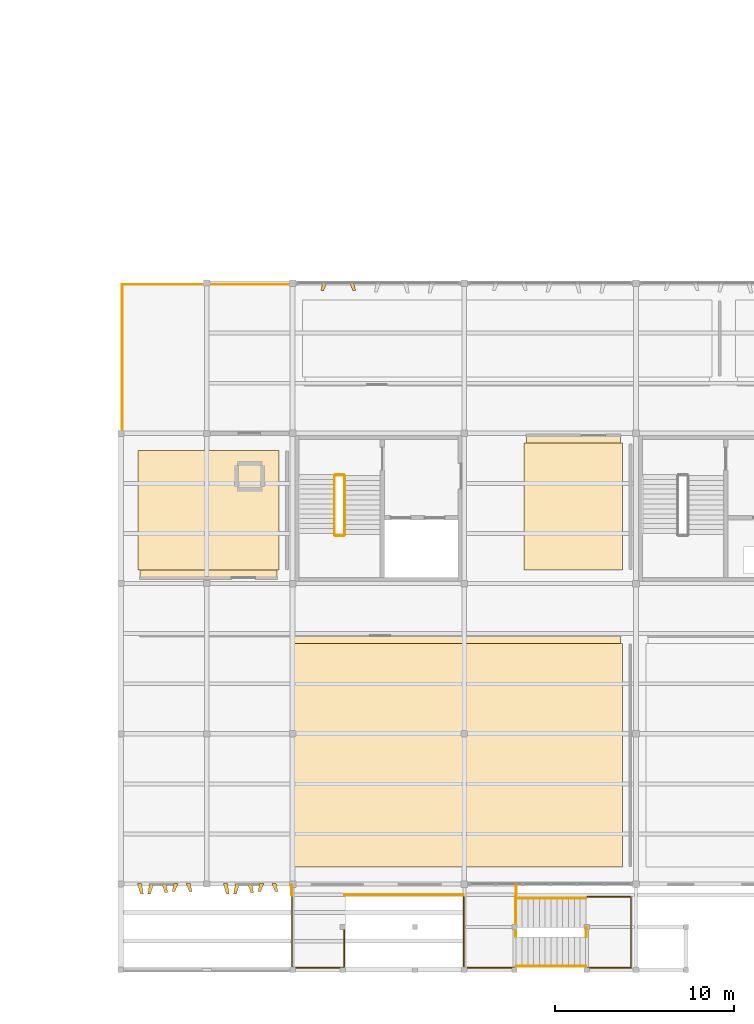
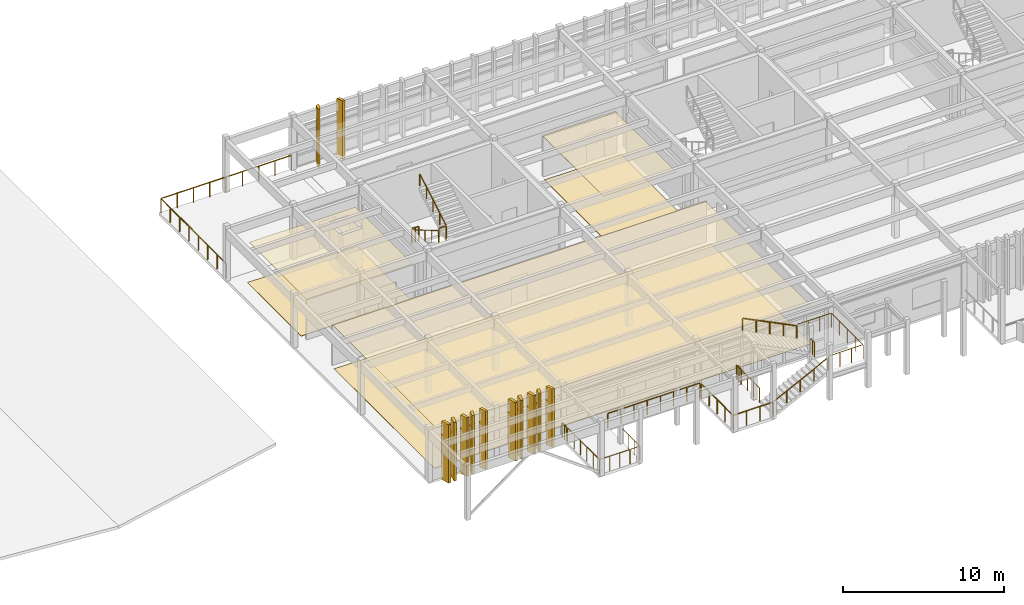
# One storey, part 16 of 18: 18 coverings, 16 railings.
"""IFC4 building model written with IfcOpenShell, lengths in metres."""

from ifc_helpers import new_model, si_unit, direction, frame, origin, origin_2d, place, context, subcontext, project, spatial, polyline, circle, outline, extrude, material, layer, layer_set, type_object, element, save


model = new_model("IFC4")

# Units and contexts
model_context = context("Model", 3, precision=1e-05, world=origin(), true_north=direction((0.0, 1.0)))
body_context = subcontext(model_context, "Body", "Model", "MODEL_VIEW")
ifc_project = project(units=[si_unit("LENGTHUNIT", "METRE"), si_unit("AREAUNIT", "SQUARE_METRE"), si_unit("VOLUMEUNIT", "CUBIC_METRE"), si_unit("PLANEANGLEUNIT", "RADIAN"), si_unit("MASSUNIT", "GRAM", prefix="KILO")], contexts=[model_context])

# Site, building, storey
site_placement = place(None, origin())
site = spatial("IfcSite", under=ifc_project, at=site_placement, CompositionType="ELEMENT")
building_placement = place(site_placement, origin())
building = spatial("IfcBuilding", under=site, at=building_placement, Name="Kolvemor Railside Polytechnic", CompositionType="ELEMENT")
storey_placement = place(building_placement, frame((0.0, 0.0, 18.60009765625)))
storey = spatial("IfcBuildingStorey", under=building, at=storey_placement, Name="L04", CompositionType="ELEMENT", Elevation=18.60009765625)

# Coverings
ifc_material_1 = material(Name="Perforated acoustic mineral-fibre and timber-slat ceiling", Category="wood")
ifc_layer_1 = layer(ifc_material_1, 0.02490234375, Name="COV-CEIL-1")
ifc_layer_set_1 = layer_set([ifc_layer_1], Name="Perforated acoustic mineral-fibre and timber-slat ceiling")
covering_type_1 = type_object("IfcCoveringType", Name="COV-CEIL-1", PredefinedType="CEILING", material=ifc_layer_set_1)
covering_1_placement = place(storey_placement, frame((0.0, 0.0, 3.02490234375)))
element("IfcCovering", 1, at=covering_1_placement, inside=storey, type_object=covering_type_1, Name="Cantilever South-West Architecture Design Studio Acoustic Ceiling", PredefinedType="CEILING", context=body_context, shape_type="SweptSolid", body=[
    extrude(outline(polyline([(58.679931640625, 5.75), (85.52001953125, 5.75), (85.52001953125, 18.679931640625), (58.679931640625, 18.679931640625), (58.679931640625, 5.75)])), origin(), (0.0, 0.0, 1.0), 0.02490234375),
])
ifc_material_2 = material(Name="Perforated acoustic mineral-fibre and timber-slat ceiling", Category="wood")
ifc_layer_2 = layer(ifc_material_2, 0.034912109375, Name="COV-CEIL-3")
ifc_layer_set_2 = layer_set([ifc_layer_2], Name="Perforated acoustic mineral-fibre and timber-slat ceiling")
covering_type_2 = type_object("IfcCoveringType", Name="COV-CEIL-3", PredefinedType="CEILING", material=ifc_layer_set_2)
covering_2_placement = place(storey_placement, frame((0.0, 0.0, 3.014892578125)))
element("IfcCovering", 2, at=covering_2_placement, inside=storey, type_object=covering_type_2, Name="Marine Sensing and Autonomous Vessels Laboratory Acoustic Ceiling", PredefinedType="CEILING", context=body_context, shape_type="SweptSolid", body=[
    extrude(outline(polyline([(58.679931640625, 21.919921875), (66.320068359375, 21.919921875), (66.320068359375, 29.050048828125), (58.679931640625, 29.050048828125), (58.679931640625, 21.919921875)])), origin(), (0.0, 0.0, 1.0), 0.034912109375),
])
ifc_material_3 = material(Name="Perforated acoustic mineral-fibre and timber-slat ceiling", Category="wood")
ifc_layer_3 = layer(ifc_material_3, 0.0400390625, Name="COV-CEIL-4")
ifc_layer_set_3 = layer_set([ifc_layer_3], Name="Perforated acoustic mineral-fibre and timber-slat ceiling")
covering_type_3 = type_object("IfcCoveringType", Name="COV-CEIL-4", PredefinedType="CEILING", material=ifc_layer_set_3)
covering_3_placement = place(storey_placement, frame((0.0, 0.0, 3.010009765625)))
element("IfcCovering", 3, at=covering_3_placement, inside=storey, type_object=covering_type_3, Name="Cyber-Physical Systems Laboratory Acoustic Ceiling", PredefinedType="CEILING", context=body_context, shape_type="SweptSolid", body=[
    extrude(outline(polyline([(80.280029296875, 22.35009765625), (85.52001953125, 22.35009765625), (85.52001953125, 29.8798828125), (80.280029296875, 29.8798828125), (80.280029296875, 22.35009765625)])), origin(), (0.0, 0.0, 1.0), 0.039794921875),
])
ifc_material_4 = material(Name="Champagne-bronze PVDF-anodised marine aluminium 5052-H32", Category="aluminium")
ifc_layer_4 = layer(ifc_material_4, 0.179931640625, Name="COV-FIN-CHAMP")
ifc_layer_set_4 = layer_set([ifc_layer_4], Name="Champagne-bronze PVDF-anodised marine aluminium 5052-H32")
covering_type_4 = type_object("IfcCoveringType", Name="COV-FIN-CHAMP", PredefinedType="CLADDING", material=ifc_layer_set_4)
covering_4_placement = place(storey_placement, frame((0.0, 0.0, -0.25)))
element("IfcCovering", 4, at=covering_4_placement, inside=storey, type_object=covering_type_4, Name="Pleated Solar Fin L04-0395", PredefinedType="CLADDING", context=body_context, shape_type="SweptSolid", body=[
    extrude(outline(polyline([(63.324951171875, 4.8349609375), (63.554931640625, 4.8349609375), (63.659912109375, 4.237060546875), (63.5, 4.237060546875), (63.324951171875, 4.8349609375)])), origin(), (0.0, 0.0, 1.0), 4.449951171875),
])
covering_5_placement = place(storey_placement, frame((0.0, 0.0, -0.25)))
element("IfcCovering", 5, at=covering_5_placement, inside=storey, type_object=covering_type_4, Name="Pleated Solar Fin L04-0396", PredefinedType="CLADDING", context=body_context, shape_type="SweptSolid", body=[
    extrude(outline(polyline([(64.0048828125, 4.8349609375), (64.235107421875, 4.8349609375), (64.06005859375, 4.2529296875), (63.89990234375, 4.2529296875), (64.0048828125, 4.8349609375)])), origin(), (0.0, 0.0, 1.0), 4.449951171875),
])
covering_6_placement = place(storey_placement, frame((0.0, 0.0, -0.25)))
element("IfcCovering", 6, at=covering_6_placement, inside=storey, type_object=covering_type_4, Name="Pleated Solar Fin L04-0397", PredefinedType="CLADDING", context=body_context, shape_type="SweptSolid", body=[
    extrude(outline(polyline([(64.68505859375, 4.8349609375), (64.9150390625, 4.8349609375), (65.02001953125, 4.31494140625), (64.860107421875, 4.31494140625), (64.68505859375, 4.8349609375)])), origin(), (0.0, 0.0, 1.0), 4.449951171875),
])
covering_7_placement = place(storey_placement, frame((0.0, 0.0, -0.25)))
element("IfcCovering", 7, at=covering_7_placement, inside=storey, type_object=covering_type_4, Name="Pleated Solar Fin L04-0398", PredefinedType="CLADDING", context=body_context, shape_type="SweptSolid", body=[
    extrude(outline(polyline([(65.364990234375, 4.8349609375), (65.594970703125, 4.8349609375), (65.419921875, 4.376953125), (65.260009765625, 4.376953125), (65.364990234375, 4.8349609375)])), origin(), (0.0, 0.0, 1.0), 4.449951171875),
])
covering_8_placement = place(storey_placement, frame((0.0, 0.0, -0.25)))
element("IfcCovering", 8, at=covering_8_placement, inside=storey, type_object=covering_type_4, Name="Pleated Solar Fin L04-0399", PredefinedType="CLADDING", context=body_context, shape_type="SweptSolid", body=[
    extrude(outline(polyline([(66.044921875, 4.8349609375), (66.27490234375, 4.8349609375), (66.3798828125, 4.39306640625), (66.219970703125, 4.39306640625), (66.044921875, 4.8349609375)])), origin(), (0.0, 0.0, 1.0), 4.449951171875),
])
ifc_material_5 = material(Name="Sea-mist PVDF-anodised marine aluminium 5052-H32", Category="aluminium")
ifc_layer_5 = layer(ifc_material_5, 0.159912109375, Name="COV-FIN-MIST")
ifc_layer_set_5 = layer_set([ifc_layer_5], Name="Sea-mist PVDF-anodised marine aluminium 5052-H32")
covering_type_5 = type_object("IfcCoveringType", Name="COV-FIN-MIST", PredefinedType="CLADDING", material=ifc_layer_set_5)
covering_9_placement = place(storey_placement, frame((0.0, 0.0, -0.25)))
element("IfcCovering", 9, at=covering_9_placement, inside=storey, type_object=covering_type_5, Name="Pleated Solar Fin L04-0390", PredefinedType="CLADDING", context=body_context, shape_type="SweptSolid", body=[
    extrude(outline(polyline([(58.52490234375, 4.8349609375), (58.7548828125, 4.8349609375), (58.860107421875, 4.237060546875), (58.699951171875, 4.237060546875), (58.52490234375, 4.8349609375)])), origin(), (0.0, 0.0, 1.0), 4.449951171875),
])
covering_10_placement = place(storey_placement, frame((0.0, 0.0, -0.25)))
element("IfcCovering", 10, at=covering_10_placement, inside=storey, type_object=covering_type_5, Name="Pleated Solar Fin L04-0391", PredefinedType="CLADDING", context=body_context, shape_type="SweptSolid", body=[
    extrude(outline(polyline([(59.205078125, 4.8349609375), (59.43505859375, 4.8349609375), (59.260009765625, 4.2529296875), (59.10009765625, 4.2529296875), (59.205078125, 4.8349609375)])), origin(), (0.0, 0.0, 1.0), 4.449951171875),
])
covering_11_placement = place(storey_placement, frame((0.0, 0.0, -0.25)))
element("IfcCovering", 11, at=covering_11_placement, inside=storey, type_object=covering_type_5, Name="Pleated Solar Fin L04-0392", PredefinedType="CLADDING", context=body_context, shape_type="SweptSolid", body=[
    extrude(outline(polyline([(59.885009765625, 4.8349609375), (60.114990234375, 4.8349609375), (60.219970703125, 4.31494140625), (60.06005859375, 4.31494140625), (59.885009765625, 4.8349609375)])), origin(), (0.0, 0.0, 1.0), 4.449951171875),
])
covering_12_placement = place(storey_placement, frame((0.0, 0.0, -0.25)))
element("IfcCovering", 12, at=covering_12_placement, inside=storey, type_object=covering_type_5, Name="Pleated Solar Fin L04-0393", PredefinedType="CLADDING", context=body_context, shape_type="SweptSolid", body=[
    extrude(outline(polyline([(60.56494140625, 4.8349609375), (60.794921875, 4.8349609375), (60.6201171875, 4.376953125), (60.4599609375, 4.376953125), (60.56494140625, 4.8349609375)])), origin(), (0.0, 0.0, 1.0), 4.449951171875),
])
covering_13_placement = place(storey_placement, frame((0.0, 0.0, -0.25)))
element("IfcCovering", 13, at=covering_13_placement, inside=storey, type_object=covering_type_5, Name="Pleated Solar Fin L04-0394", PredefinedType="CLADDING", context=body_context, shape_type="SweptSolid", body=[
    extrude(outline(polyline([(61.2451171875, 4.8349609375), (61.47509765625, 4.8349609375), (61.580078125, 4.39306640625), (61.419921875, 4.39306640625), (61.2451171875, 4.8349609375)])), origin(), (0.0, 0.0, 1.0), 4.449951171875),
])
covering_14_placement = place(storey_placement, frame((0.0, 0.0, -0.25)))
element("IfcCovering", 14, at=covering_14_placement, inside=storey, type_object=covering_type_5, Name="Pleated Solar Fin L04-0564", PredefinedType="CLADDING", context=body_context, shape_type="SweptSolid", body=[
    extrude(outline(polyline([(70.614990234375, 38.43505859375), (70.385009765625, 38.43505859375), (70.56005859375, 37.98193359375), (70.719970703125, 37.98193359375), (70.614990234375, 38.43505859375)])), origin(), (0.0, 0.0, 1.0), 4.449951171875),
])
covering_15_placement = place(storey_placement, frame((0.0, 0.0, -0.25)))
element("IfcCovering", 15, at=covering_15_placement, inside=storey, type_object=covering_type_5, Name="Pleated Solar Fin L04-0565", PredefinedType="CLADDING", context=body_context, shape_type="SweptSolid", body=[
    extrude(outline(polyline([(69.114990234375, 38.43505859375), (68.885009765625, 38.43505859375), (68.780029296875, 37.989013671875), (68.93994140625, 37.989013671875), (69.114990234375, 38.43505859375)])), origin(), (0.0, 0.0, 1.0), 4.449951171875),
])
ifc_material_6 = material(Name="Polished coral-aggregate terrazzo and laboratory epoxy flooring")
ifc_layer_6 = layer(ifc_material_6, 0.02001953125, Name="COV-FLR-1")
ifc_layer_set_6 = layer_set([ifc_layer_6], Name="Polished coral-aggregate terrazzo and laboratory epoxy flooring")
covering_type_6 = type_object("IfcCoveringType", Name="COV-FLR-1", PredefinedType="FLOORING", material=ifc_layer_set_6)
covering_16_placement = place(storey_placement, origin())
element("IfcCovering", 16, at=covering_16_placement, inside=storey, type_object=covering_type_6, Name="Cantilever South-West Architecture Design Studio Floor Finish", PredefinedType="FLOORING", context=body_context, shape_type="SweptSolid", body=[
    extrude(outline(polyline([(58.550048828125, 5.75), (85.64990234375, 5.75), (85.64990234375, 18.25), (58.550048828125, 18.25), (58.550048828125, 5.75)])), origin(), (0.0, 0.0, 1.0), 0.02001953125),
])
ifc_material_7 = material(Name="Polished coral-aggregate terrazzo and laboratory epoxy flooring")
ifc_layer_7 = layer(ifc_material_7, 0.030029296875, Name="COV-FLR-3")
ifc_layer_set_7 = layer_set([ifc_layer_7], Name="Polished coral-aggregate terrazzo and laboratory epoxy flooring")
covering_type_7 = type_object("IfcCoveringType", Name="COV-FLR-3", PredefinedType="FLOORING", material=ifc_layer_set_7)
covering_17_placement = place(storey_placement, origin())
element("IfcCovering", 17, at=covering_17_placement, inside=storey, type_object=covering_type_7, Name="Marine Sensing and Autonomous Vessels Laboratory Floor Finish", PredefinedType="FLOORING", context=body_context, shape_type="SweptSolid", body=[
    extrude(outline(polyline([(58.550048828125, 22.35009765625), (66.449951171875, 22.35009765625), (66.449951171875, 29.050048828125), (58.550048828125, 29.050048828125), (58.550048828125, 22.35009765625)])), origin(), (0.0, 0.0, 1.0), 0.02978515625),
])
ifc_material_8 = material(Name="Polished coral-aggregate terrazzo and laboratory epoxy flooring")
ifc_layer_8 = layer(ifc_material_8, 0.034912109375, Name="COV-FLR-4")
ifc_layer_set_8 = layer_set([ifc_layer_8], Name="Polished coral-aggregate terrazzo and laboratory epoxy flooring")
covering_type_8 = type_object("IfcCoveringType", Name="COV-FLR-4", PredefinedType="FLOORING", material=ifc_layer_set_8)
covering_18_placement = place(storey_placement, origin())
element("IfcCovering", 18, at=covering_18_placement, inside=storey, type_object=covering_type_8, Name="Cyber-Physical Systems Laboratory Floor Finish", PredefinedType="FLOORING", context=body_context, shape_type="SweptSolid", body=[
    extrude(outline(polyline([(80.14990234375, 22.35009765625), (85.64990234375, 22.35009765625), (85.64990234375, 29.449951171875), (80.14990234375, 29.449951171875), (80.14990234375, 22.35009765625)])), origin(), (0.0, 0.0, 1.0), 0.034912109375),
])

# Railings
ifc_material_9 = material(Name="AISI 316 marine stainless-steel balustrade guard", Category="steel")
railing_type_1 = type_object("IfcRailingType", Name="RLG-GUARD-1120", PredefinedType="BALUSTRADE", material=ifc_material_9)
railing_1_placement = place(storey_placement, frame((67.06005859375, 38.320068359375, 0.0)))
element("IfcRailing", 19, at=railing_1_placement, inside=storey, type_object=railing_type_1, Name="Corner Study Terrace L04-NW N Guard GR-029", PredefinedType="BALUSTRADE", context=body_context, shape_type="SweptSolid", body=[
    extrude(circle(Radius=0.02392578125, at=origin_2d()), frame((-0.054931640625, 0.0, 1.09619140625), z_axis=(-1.0, 0.0, 0.0), x_axis=(0.0, -1.0, 0.0)), (0.0, 0.0, 1.0), 9.27001953125),
    extrude(circle(Radius=0.02099609375, at=origin_2d()), origin(), (0.0, 0.0, 1.0), 1.05712890625),
    extrude(circle(Radius=0.02099609375, at=origin_2d()), frame((-1.172607421875, 0.0, 0.0)), (0.0, 0.0, 1.0), 1.05712890625),
    extrude(circle(Radius=0.02099609375, at=origin_2d()), frame((-2.344970703125, 0.0, 0.0)), (0.0, 0.0, 1.0), 1.05712890625),
    extrude(circle(Radius=0.02099609375, at=origin_2d()), frame((-3.517578125, 0.0, 0.0)), (0.0, 0.0, 1.0), 1.05712890625),
    extrude(circle(Radius=0.02099609375, at=origin_2d()), frame((-4.68994140625, 0.0, 0.0)), (0.0, 0.0, 1.0), 1.05712890625),
    extrude(circle(Radius=0.02099609375, at=origin_2d()), frame((-5.862548828125, 0.0, 0.0)), (0.0, 0.0, 1.0), 1.05712890625),
    extrude(circle(Radius=0.02099609375, at=origin_2d()), frame((-7.03515625, 0.0, 0.0)), (0.0, 0.0, 1.0), 1.05712890625),
    extrude(circle(Radius=0.02099609375, at=origin_2d()), frame((-8.20751953125, 0.0, 0.0)), (0.0, 0.0, 1.0), 1.05712890625),
    extrude(circle(Radius=0.02099609375, at=origin_2d()), frame((-9.380126953125, 0.0, 0.0)), (0.0, 0.0, 1.0), 1.05712890625),
])
railing_2_placement = place(storey_placement, frame((57.679931640625, 38.320068359375, 0.0)))
element("IfcRailing", 20, at=railing_2_placement, inside=storey, type_object=railing_type_1, Name="Corner Study Terrace L04-NW W Guard GR-030", PredefinedType="BALUSTRADE", context=body_context, shape_type="SweptSolid", body=[
    extrude(circle(Radius=0.02392578125, at=origin_2d()), frame((0.0, -0.054931640625, 1.09619140625), z_axis=(0.0, -1.0, 0.0), x_axis=(1.0, 0.0, 0.0)), (0.0, 0.0, 1.0), 8.070068359375),
    extrude(circle(Radius=0.02099609375, at=origin_2d()), origin(), (0.0, 0.0, 1.0), 1.05712890625),
    extrude(circle(Radius=0.02099609375, at=origin_2d()), frame((0.0, -1.168701171875, 0.0)), (0.0, 0.0, 1.0), 1.05712890625),
    extrude(circle(Radius=0.02099609375, at=origin_2d()), frame((0.0, -2.337158203125, 0.0)), (0.0, 0.0, 1.0), 1.05712890625),
    extrude(circle(Radius=0.02099609375, at=origin_2d()), frame((0.0, -3.505859375, 0.0)), (0.0, 0.0, 1.0), 1.05712890625),
    extrude(circle(Radius=0.02099609375, at=origin_2d()), frame((0.0, -4.67431640625, 0.0)), (0.0, 0.0, 1.0), 1.05712890625),
    extrude(circle(Radius=0.02099609375, at=origin_2d()), frame((0.0, -5.843017578125, 0.0)), (0.0, 0.0, 1.0), 1.05712890625),
    extrude(circle(Radius=0.02099609375, at=origin_2d()), frame((0.0, -7.011474609375, 0.0)), (0.0, 0.0, 1.0), 1.05712890625),
    extrude(circle(Radius=0.02099609375, at=origin_2d()), frame((0.0, -8.18017578125, 0.0)), (0.0, 0.0, 1.0), 1.05712890625),
])
railing_3_placement = place(storey_placement, frame((69.580078125, 27.679931640625, 0.0)))
element("IfcRailing", 21, at=railing_3_placement, inside=storey, type_object=railing_type_1, Name="ST-1 Floor Slot Guard L04", PredefinedType="BALUSTRADE", context=body_context, shape_type="SweptSolid", body=[
    extrude(circle(Radius=0.02392578125, at=origin_2d()), frame((0.054931640625, 0.0, 1.09619140625), z_axis=(1.0, 0.0, 0.0), x_axis=(0.0, 1.0, 0.0)), (0.0, 0.0, 1.0), 0.389892578125),
    extrude(circle(Radius=0.02099609375, at=origin_2d()), origin(), (0.0, 0.0, 1.0), 1.05712890625),
    extrude(circle(Radius=0.02099609375, at=origin_2d()), frame((0.25, 0.0, 0.0)), (0.0, 0.0, 1.0), 1.05712890625),
    extrude(circle(Radius=0.02099609375, at=origin_2d()), frame((0.5, 0.0, 0.0)), (0.0, 0.0, 1.0), 1.05712890625),
])
railing_4_placement = place(storey_placement, frame((69.580078125, 24.280029296875, 2.099853515625)))
element("IfcRailing", 22, at=railing_4_placement, inside=storey, type_object=railing_type_1, Name="ST-1 Half-Landing Slot Guard L04", PredefinedType="BALUSTRADE", context=body_context, shape_type="SweptSolid", body=[
    extrude(circle(Radius=0.02392578125, at=origin_2d()), frame((0.054931640625, 0.0, 1.09619140625), z_axis=(1.0, 0.0, 0.0), x_axis=(0.0, 1.0, 0.0)), (0.0, 0.0, 1.0), 0.389892578125),
    extrude(circle(Radius=0.02099609375, at=origin_2d()), origin(), (0.0, 0.0, 1.0), 1.05712890625),
    extrude(circle(Radius=0.02099609375, at=origin_2d()), frame((0.5, 0.0, 0.0)), (0.0, 0.0, 1.0), 1.05712890625),
])
railing_5_placement = place(storey_placement, frame((79.679931640625, 0.1201171875, 0.0)))
element("IfcRailing", 23, at=railing_5_placement, inside=storey, type_object=railing_type_1, Name="ST-EXT Departure Landing Guard L04", PredefinedType="BALUSTRADE", context=body_context, shape_type="SweptSolid", body=[
    extrude(circle(Radius=0.02392578125, at=origin_2d()), frame((-0.054931640625, 0.0, 1.09619140625), z_axis=(-1.0, 0.0, 0.0), x_axis=(0.0, -1.0, 0.0)), (0.0, 0.0, 1.0), 2.7998046875),
    extrude(circle(Radius=0.02392578125, at=origin_2d()), frame((-2.909912109375, 0.054931640625, 1.09619140625), z_axis=(0.0, 1.0, 0.0), x_axis=(-1.0, 0.0, 0.0)), (0.0, 0.0, 1.0), 3.849853515625),
    extrude(circle(Radius=0.02099609375, at=origin_2d()), origin(), (0.0, 0.0, 1.0), 1.05712890625),
    extrude(circle(Radius=0.02099609375, at=origin_2d()), frame((-0.969970703125, 0.0, 0.0)), (0.0, 0.0, 1.0), 1.05712890625),
    extrude(circle(Radius=0.02099609375, at=origin_2d()), frame((-1.93994140625, 0.0, 0.0)), (0.0, 0.0, 1.0), 1.05712890625),
    extrude(circle(Radius=0.02099609375, at=origin_2d()), frame((-2.909912109375, 0.0, 0.0)), (0.0, 0.0, 1.0), 1.05712890625),
    extrude(circle(Radius=0.02099609375, at=origin_2d()), frame((-2.909912109375, 0.989990234375, 0.0)), (0.0, 0.0, 1.0), 1.05712890625),
    extrude(circle(Radius=0.02099609375, at=origin_2d()), frame((-2.909912109375, 1.97998046875, 0.0)), (0.0, 0.0, 1.0), 1.05712890625),
    extrude(circle(Radius=0.02099609375, at=origin_2d()), frame((-2.909912109375, 2.969970703125, 0.0)), (0.0, 0.0, 1.0), 1.05712890625),
    extrude(circle(Radius=0.02099609375, at=origin_2d()), frame((-2.909912109375, 3.9599609375, 0.0)), (0.0, 0.0, 1.0), 1.05712890625),
])
railing_6_placement = place(storey_placement, frame((79.679931640625, 1.860107421875, 0.0)))
element("IfcRailing", 24, at=railing_6_placement, inside=storey, type_object=railing_type_1, Name="ST-EXT Departure Landing East Guard L04", PredefinedType="BALUSTRADE", context=body_context, shape_type="SweptSolid", body=[
    extrude(circle(Radius=0.02392578125, at=origin_2d()), frame((0.0, 0.054931640625, 1.09619140625), z_axis=(0.0, 1.0, 0.0), x_axis=(-1.0, 0.0, 0.0)), (0.0, 0.0, 1.0), 2.169677734375),
    extrude(circle(Radius=0.02099609375, at=origin_2d()), origin(), (0.0, 0.0, 1.0), 1.05712890625),
    extrude(circle(Radius=0.02099609375, at=origin_2d()), frame((0.0, 0.760009765625, 0.0)), (0.0, 0.0, 1.0), 1.05712890625),
    extrude(circle(Radius=0.02099609375, at=origin_2d()), frame((0.0, 1.519775390625, 0.0)), (0.0, 0.0, 1.0), 1.05712890625),
    extrude(circle(Radius=0.02099609375, at=origin_2d()), frame((0.0, 2.27978515625, 0.0)), (0.0, 0.0, 1.0), 1.05712890625),
])
railing_7_placement = place(storey_placement, frame((70.110107421875, 4.199951171875, 0.0)))
element("IfcRailing", 25, at=railing_7_placement, inside=storey, type_object=railing_type_1, Name="ST-EXT Rear Gallery South Guard L04-1", PredefinedType="BALUSTRADE", context=body_context, shape_type="SweptSolid", body=[
    extrude(circle(Radius=0.02392578125, at=origin_2d()), frame((0.054931640625, 0.0, 1.09619140625), z_axis=(1.0, 0.0, 0.0), x_axis=(0.0, 1.0, 0.0)), (0.0, 0.0, 1.0), 6.519775390625),
    extrude(circle(Radius=0.02099609375, at=origin_2d()), origin(), (0.0, 0.0, 1.0), 1.05712890625),
    extrude(circle(Radius=0.02099609375, at=origin_2d()), frame((0.947021484375, 0.0, 0.0)), (0.0, 0.0, 1.0), 1.05712890625),
    extrude(circle(Radius=0.02099609375, at=origin_2d()), frame((1.894287109375, 0.0, 0.0)), (0.0, 0.0, 1.0), 1.05712890625),
    extrude(circle(Radius=0.02099609375, at=origin_2d()), frame((2.84130859375, 0.0, 0.0)), (0.0, 0.0, 1.0), 1.05712890625),
    extrude(circle(Radius=0.02099609375, at=origin_2d()), frame((3.78857421875, 0.0, 0.0)), (0.0, 0.0, 1.0), 1.05712890625),
    extrude(circle(Radius=0.02099609375, at=origin_2d()), frame((4.735595703125, 0.0, 0.0)), (0.0, 0.0, 1.0), 1.05712890625),
    extrude(circle(Radius=0.02099609375, at=origin_2d()), frame((5.682861328125, 0.0, 0.0)), (0.0, 0.0, 1.0), 1.05712890625),
    extrude(circle(Radius=0.02099609375, at=origin_2d()), frame((6.6298828125, 0.0, 0.0)), (0.0, 0.0, 1.0), 1.05712890625),
])
for number, where, name in (
    (26, (67.14990234375, 4.179931640625, 0.0), "ST-EXT Rear Gallery West End Guard L04-1"),
    (27, (79.699951171875, 4.179931640625, 0.0), "ST-EXT Rear Gallery East End Guard L04-1"),
):
    element("IfcRailing", number, at=place(storey_placement, frame(where)), inside=storey, type_object=railing_type_1, Name=name, PredefinedType="BALUSTRADE", context=body_context, shape_type="SweptSolid", body=[
        extrude(circle(Radius=0.02392578125, at=origin_2d()), frame((0.0, 0.054931640625, 1.09619140625), z_axis=(0.0, 1.0, 0.0), x_axis=(-1.0, 0.0, 0.0)), (0.0, 0.0, 1.0), 0.449951171875),
        extrude(circle(Radius=0.02099609375, at=origin_2d()), origin(), (0.0, 0.0, 1.0), 1.05712890625),
        extrude(circle(Radius=0.02099609375, at=origin_2d()), frame((0.0, 0.280029296875, 0.0)), (0.0, 0.0, 1.0), 1.05712890625),
        extrude(circle(Radius=0.02099609375, at=origin_2d()), frame((0.0, 0.56005859375, 0.0)), (0.0, 0.0, 1.0), 1.05712890625),
    ])
railing_8_placement = place(storey_placement, frame((70.080078125, 2.340087890625, 0.0)))
element("IfcRailing", 28, at=railing_8_placement, inside=storey, type_object=railing_type_1, Name="ST-EXT Arrival Landing Perimeter Guard L04", PredefinedType="BALUSTRADE", context=body_context, shape_type="SweptSolid", body=[
    extrude(circle(Radius=0.02392578125, at=origin_2d()), frame((0.0, -0.054931640625, 1.09619140625), z_axis=(0.0, -1.0, 0.0), x_axis=(1.0, 0.0, 0.0)), (0.0, 0.0, 1.0), 2.10986328125),
    extrude(circle(Radius=0.02392578125, at=origin_2d()), frame((-0.054931640625, -2.219970703125, 1.09619140625), z_axis=(-1.0, 0.0, 0.0), x_axis=(0.0, -1.0, 0.0)), (0.0, 0.0, 1.0), 2.800048828125),
    extrude(circle(Radius=0.02392578125, at=origin_2d()), frame((-2.91015625, -2.1650390625, 1.09619140625), z_axis=(0.0, 1.0, 0.0), x_axis=(-1.0, 0.0, 0.0)), (0.0, 0.0, 1.0), 3.849853515625),
    extrude(circle(Radius=0.02099609375, at=origin_2d()), origin(), (0.0, 0.0, 1.0), 1.05712890625),
    extrude(circle(Radius=0.02099609375, at=origin_2d()), frame((0.0, -0.739990234375, 0.0)), (0.0, 0.0, 1.0), 1.05712890625),
    extrude(circle(Radius=0.02099609375, at=origin_2d()), frame((0.0, -1.47998046875, 0.0)), (0.0, 0.0, 1.0), 1.05712890625),
    extrude(circle(Radius=0.02099609375, at=origin_2d()), frame((0.0, -2.219970703125, 0.0)), (0.0, 0.0, 1.0), 1.05712890625),
    extrude(circle(Radius=0.02099609375, at=origin_2d()), frame((-0.7275390625, -2.219970703125, 0.0)), (0.0, 0.0, 1.0), 1.05712890625),
    extrude(circle(Radius=0.02099609375, at=origin_2d()), frame((-1.455078125, -2.219970703125, 0.0)), (0.0, 0.0, 1.0), 1.05712890625),
    extrude(circle(Radius=0.02099609375, at=origin_2d()), frame((-2.1826171875, -2.219970703125, 0.0)), (0.0, 0.0, 1.0), 1.05712890625),
    extrude(circle(Radius=0.02099609375, at=origin_2d()), frame((-2.91015625, -2.219970703125, 0.0)), (0.0, 0.0, 1.0), 1.05712890625),
    extrude(circle(Radius=0.02099609375, at=origin_2d()), frame((-2.91015625, -1.427978515625, 0.0)), (0.0, 0.0, 1.0), 1.05712890625),
    extrude(circle(Radius=0.02099609375, at=origin_2d()), frame((-2.91015625, -0.635986328125, 0.0)), (0.0, 0.0, 1.0), 1.05712890625),
    extrude(circle(Radius=0.02099609375, at=origin_2d()), frame((-2.91015625, 0.156005859375, 0.0)), (0.0, 0.0, 1.0), 1.05712890625),
    extrude(circle(Radius=0.02099609375, at=origin_2d()), frame((-2.91015625, 0.947998046875, 0.0)), (0.0, 0.0, 1.0), 1.05712890625),
    extrude(circle(Radius=0.02099609375, at=origin_2d()), frame((-2.91015625, 1.739990234375, 0.0)), (0.0, 0.0, 1.0), 1.05712890625),
])
railing_9_placement = place(storey_placement, frame((83.6201171875, 0.1201171875, 2.099853515625)))
element("IfcRailing", 29, at=railing_9_placement, inside=storey, type_object=railing_type_1, Name="ST-EXT Half-Landing Perimeter Guard L04", PredefinedType="BALUSTRADE", context=body_context, shape_type="SweptSolid", body=[
    extrude(circle(Radius=0.02392578125, at=origin_2d()), frame((0.054931640625, 0.0, 1.09619140625), z_axis=(1.0, 0.0, 0.0), x_axis=(0.0, 1.0, 0.0)), (0.0, 0.0, 1.0), 2.389892578125),
    extrude(circle(Radius=0.02392578125, at=origin_2d()), frame((2.5, 0.054931640625, 1.09619140625), z_axis=(0.0, 1.0, 0.0), x_axis=(-1.0, 0.0, 0.0)), (0.0, 0.0, 1.0), 3.849853515625),
    extrude(circle(Radius=0.02392578125, at=origin_2d()), frame((2.445068359375, 3.9599609375, 1.09619140625), z_axis=(-1.0, 0.0, 0.0), x_axis=(0.0, -1.0, 0.0)), (0.0, 0.0, 1.0), 2.389892578125),
    extrude(circle(Radius=0.02099609375, at=origin_2d()), origin(), (0.0, 0.0, 1.0), 1.05712890625),
    extrude(circle(Radius=0.02099609375, at=origin_2d()), frame((0.833251953125, 0.0, 0.0)), (0.0, 0.0, 1.0), 1.05712890625),
    extrude(circle(Radius=0.02099609375, at=origin_2d()), frame((1.666748046875, 0.0, 0.0)), (0.0, 0.0, 1.0), 1.05712890625),
    extrude(circle(Radius=0.02099609375, at=origin_2d()), frame((2.5, 0.0, 0.0)), (0.0, 0.0, 1.0), 1.05712890625),
    extrude(circle(Radius=0.02099609375, at=origin_2d()), frame((2.5, 0.989990234375, 0.0)), (0.0, 0.0, 1.0), 1.05712890625),
    extrude(circle(Radius=0.02099609375, at=origin_2d()), frame((2.5, 1.97998046875, 0.0)), (0.0, 0.0, 1.0), 1.05712890625),
    extrude(circle(Radius=0.02099609375, at=origin_2d()), frame((2.5, 2.969970703125, 0.0)), (0.0, 0.0, 1.0), 1.05712890625),
    extrude(circle(Radius=0.02099609375, at=origin_2d()), frame((2.5, 3.9599609375, 0.0)), (0.0, 0.0, 1.0), 1.05712890625),
    extrude(circle(Radius=0.02099609375, at=origin_2d()), frame((1.666748046875, 3.9599609375, 0.0)), (0.0, 0.0, 1.0), 1.05712890625),
    extrude(circle(Radius=0.02099609375, at=origin_2d()), frame((0.833251953125, 3.9599609375, 0.0)), (0.0, 0.0, 1.0), 1.05712890625),
    extrude(circle(Radius=0.02099609375, at=origin_2d()), frame((0.0, 3.9599609375, 0.0)), (0.0, 0.0, 1.0), 1.05712890625),
])
railing_10_placement = place(storey_placement, frame((83.6201171875, 1.840087890625, 2.099853515625)))
element("IfcRailing", 30, at=railing_10_placement, inside=storey, type_object=railing_type_1, Name="ST-EXT Half-Landing Slot Guard L04", PredefinedType="BALUSTRADE", context=body_context, shape_type="SweptSolid", body=[
    extrude(circle(Radius=0.02392578125, at=origin_2d()), frame((0.0, 0.054931640625, 1.09619140625), z_axis=(0.0, 1.0, 0.0), x_axis=(-1.0, 0.0, 0.0)), (0.0, 0.0, 1.0), 0.409912109375),
    extrude(circle(Radius=0.02099609375, at=origin_2d()), origin(), (0.0, 0.0, 1.0), 1.05712890625),
    extrude(circle(Radius=0.02099609375, at=origin_2d()), frame((0.0, 0.260009765625, 0.0)), (0.0, 0.0, 1.0), 1.05712890625),
    extrude(circle(Radius=0.02099609375, at=origin_2d()), frame((0.0, 0.52001953125, 0.0)), (0.0, 0.0, 1.0), 1.05712890625),
])
ifc_material_10 = material(Name="Brushed AISI 316 stainless-steel stair handrail", Category="steel")
railing_type_2 = type_object("IfcRailingType", Name="RLG-HANDRAIL-920", PredefinedType="HANDRAIL", material=ifc_material_10)
railing_11_placement = place(storey_placement, frame((69.5400390625, 27.6201171875, 0.161376953125)))
element("IfcRailing", 31, at=railing_11_placement, inside=storey, type_object=railing_type_2, Name="ST-1 Flight 1 Handrail L04", PredefinedType="HANDRAIL", context=body_context, shape_type="SweptSolid", body=[
    extrude(circle(Radius=0.02392578125, at=origin_2d()), frame((0.0, -0.04736328125, 0.923828125), z_axis=(0.0, -0.862245621732, 0.506490362991), x_axis=(1.0, 0.0, 0.0)), (0.0, 0.0, 1.0), 3.71728515625),
    extrude(circle(Radius=0.02099609375, at=origin_2d()), origin(), (0.0, 0.0, 1.0), 0.85693359375),
    extrude(circle(Radius=0.02099609375, at=origin_2d()), frame((0.0, -0.824951171875, 0.484619140625)), (0.0, 0.0, 1.0), 0.85693359375),
    extrude(circle(Radius=0.02099609375, at=origin_2d()), frame((0.0, -1.64990234375, 0.96923828125)), (0.0, 0.0, 1.0), 0.85693359375),
    extrude(circle(Radius=0.02099609375, at=origin_2d()), frame((0.0, -2.47509765625, 1.453857421875)), (0.0, 0.0, 1.0), 0.85693359375),
    extrude(circle(Radius=0.02099609375, at=origin_2d()), frame((0.0, -3.300048828125, 1.9384765625)), (0.0, 0.0, 1.0), 0.85693359375),
])
railing_12_placement = place(storey_placement, frame((70.1201171875, 24.320068359375, 2.261474609375)))
element("IfcRailing", 32, at=railing_12_placement, inside=storey, type_object=railing_type_2, Name="ST-1 Flight 2 Handrail L04", PredefinedType="HANDRAIL", context=body_context, shape_type="SweptSolid", body=[
    extrude(circle(Radius=0.02392578125, at=origin_2d()), frame((0.0, 0.04736328125, 0.923828125), z_axis=(0.0, 0.862245621732, 0.506490362991), x_axis=(-1.0, 0.0, 0.0)), (0.0, 0.0, 1.0), 3.71728515625),
    extrude(circle(Radius=0.02099609375, at=origin_2d()), origin(), (0.0, 0.0, 1.0), 0.85693359375),
    extrude(circle(Radius=0.02099609375, at=origin_2d()), frame((0.0, 0.824951171875, 0.484619140625)), (0.0, 0.0, 1.0), 0.85693359375),
    extrude(circle(Radius=0.02099609375, at=origin_2d()), frame((0.0, 1.64990234375, 0.96923828125)), (0.0, 0.0, 1.0), 0.85693359375),
    extrude(circle(Radius=0.02099609375, at=origin_2d()), frame((0.0, 2.47509765625, 1.453857421875)), (0.0, 0.0, 1.0), 0.85693359375),
    extrude(circle(Radius=0.02099609375, at=origin_2d()), frame((0.0, 3.300048828125, 1.9384765625)), (0.0, 0.0, 1.0), 0.85693359375),
])
railing_13_placement = place(storey_placement, frame((79.699951171875, 0.199951171875, 0.161376953125)))
element("IfcRailing", 33, at=railing_13_placement, inside=storey, type_object=railing_type_2, Name="ST-EXT Flight 1 Handrail L04", PredefinedType="HANDRAIL", context=body_context, shape_type="SweptSolid", body=[
    extrude(circle(Radius=0.02392578125, at=origin_2d()), frame((0.04931640625, 0.0, 0.92041015625), z_axis=(0.895489712702, 0.0, 0.445082210883), x_axis=(0.0, 1.0, 0.0)), (0.0, 0.0, 1.0), 4.245361328125),
    extrude(circle(Radius=0.02099609375, at=origin_2d()), origin(), (0.0, 0.0, 1.0), 0.85693359375),
    extrude(circle(Radius=0.02099609375, at=origin_2d()), frame((0.97509765625, 0.0, 0.484619140625)), (0.0, 0.0, 1.0), 0.85693359375),
    extrude(circle(Radius=0.02099609375, at=origin_2d()), frame((1.9501953125, 0.0, 0.96923828125)), (0.0, 0.0, 1.0), 0.85693359375),
    extrude(circle(Radius=0.02099609375, at=origin_2d()), frame((2.925048828125, 0.0, 1.453857421875)), (0.0, 0.0, 1.0), 0.85693359375),
    extrude(circle(Radius=0.02099609375, at=origin_2d()), frame((3.900146484375, 0.0, 1.9384765625)), (0.0, 0.0, 1.0), 0.85693359375),
])
railing_14_placement = place(storey_placement, frame((83.60009765625, 4.0, 2.261474609375)))
element("IfcRailing", 34, at=railing_14_placement, inside=storey, type_object=railing_type_2, Name="ST-EXT Flight 2 Handrail L04", PredefinedType="HANDRAIL", context=body_context, shape_type="SweptSolid", body=[
    extrude(circle(Radius=0.02392578125, at=origin_2d()), frame((-0.04931640625, 0.0, 0.92041015625), z_axis=(-0.895489712702, 0.0, 0.445082210883), x_axis=(0.0, -1.0, 0.0)), (0.0, 0.0, 1.0), 4.245361328125),
    extrude(circle(Radius=0.02099609375, at=origin_2d()), origin(), (0.0, 0.0, 1.0), 0.85693359375),
    extrude(circle(Radius=0.02099609375, at=origin_2d()), frame((-0.97509765625, 0.0, 0.484619140625)), (0.0, 0.0, 1.0), 0.85693359375),
    extrude(circle(Radius=0.02099609375, at=origin_2d()), frame((-1.9501953125, 0.0, 0.96923828125)), (0.0, 0.0, 1.0), 0.85693359375),
    extrude(circle(Radius=0.02099609375, at=origin_2d()), frame((-2.925048828125, 0.0, 1.453857421875)), (0.0, 0.0, 1.0), 0.85693359375),
    extrude(circle(Radius=0.02099609375, at=origin_2d()), frame((-3.900146484375, 0.0, 1.9384765625)), (0.0, 0.0, 1.0), 0.85693359375),
])

save(model, "model.ifc")
